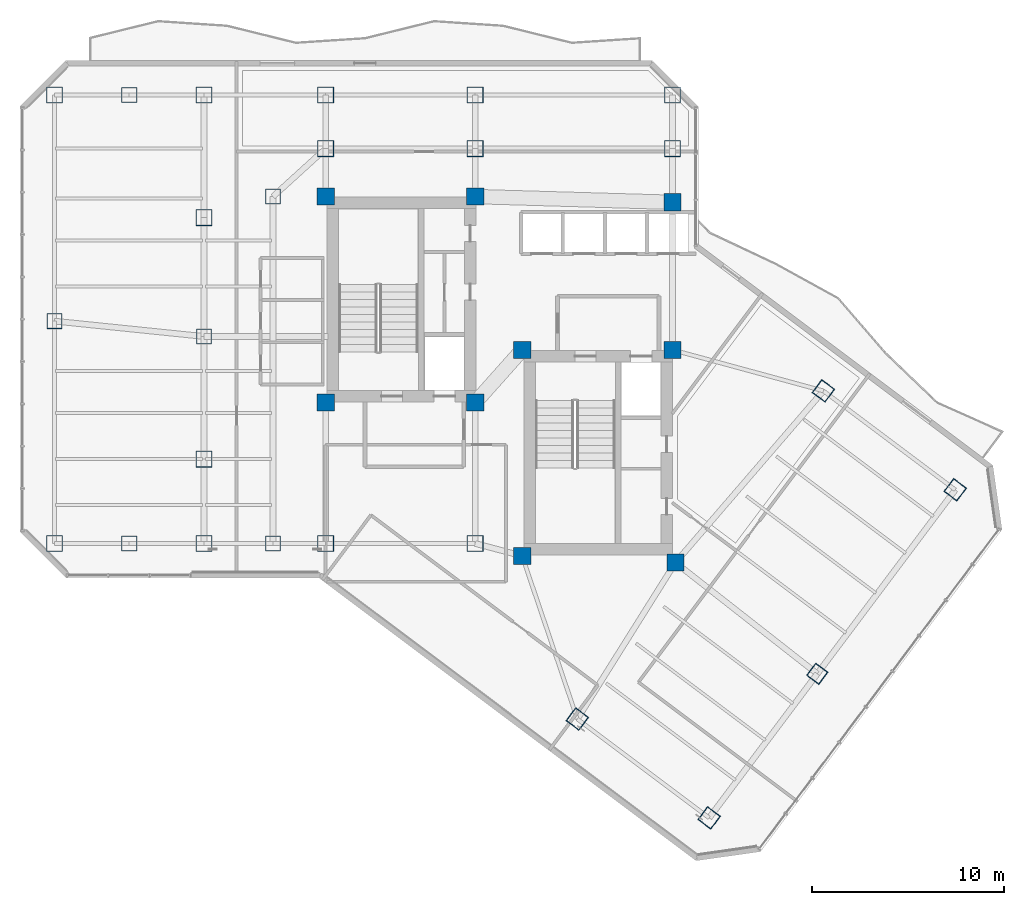
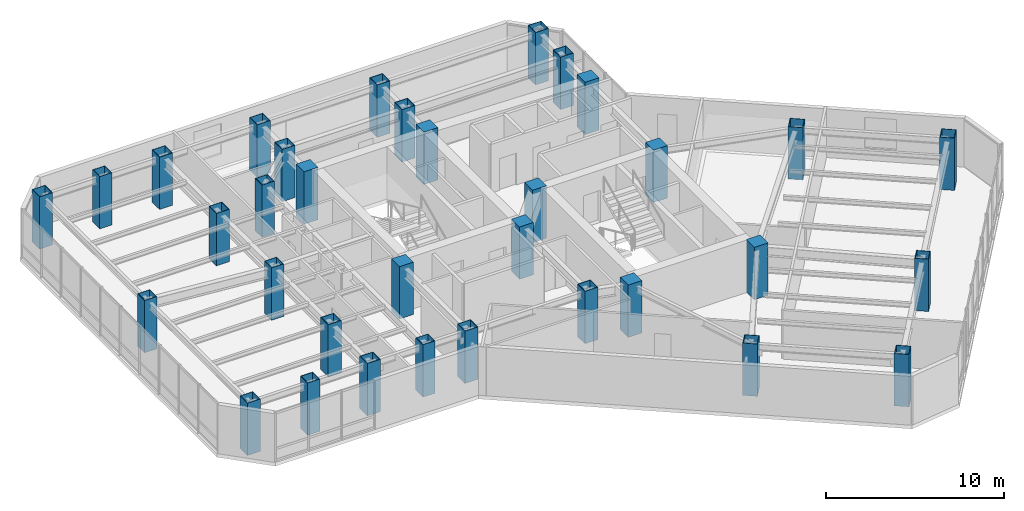
# One storey, part 1 of 26: 34 columns.
"""IFC4 building model written with IfcOpenShell, lengths in metres."""

import ifcopenshell
import ifcopenshell.guid

model = None  # the IFC model being written
_history = None  # IfcOwnerHistory: only IFC2X3 demands one
_inside = {}  # id of a spatial element -> (the spatial element, [elements in it])
_under = {}  # id of a project, library or spatial element -> (it, [spatial elements below it])
_declared = {}  # id of a project -> (the project, [libraries it declares])
_typed = {}  # id of a type object -> (the type object, [elements of that type])
_made_of = {}  # id of a material, layer set ... -> (it, [elements and type objects made of it])


def new_model(schema):
    """Start an empty IFC model of exactly this schema.

    Asked for "IFC4X3", IfcOpenShell would pick the latest addendum, in which some entities
    have other attributes; the version numbers below select the first issue.
    IFC2X3 requires an IfcOwnerHistory on every rooted entity: one is made here for all.
    """
    global model, _history
    if schema == "IFC4X3":
        model = ifcopenshell.file(schema_version=(4, 3, 0, 0))
    else:
        model = ifcopenshell.file(schema=schema)
    _inside.clear()
    _under.clear()
    _declared.clear()
    _typed.clear()
    _made_of.clear()
    _history = None
    if model.schema == "IFC2X3":
        org = make("IfcOrganization", Name="unknown")
        user = make(
            "IfcPersonAndOrganization",
            ThePerson=make("IfcPerson", FamilyName="unknown"),
            TheOrganization=org,
        )
        app = make(
            "IfcApplication",
            ApplicationDeveloper=org,
            Version="unknown",
            ApplicationFullName="unknown",
            ApplicationIdentifier="unknown",
        )
        _history = make(
            "IfcOwnerHistory",
            OwningUser=user,
            OwningApplication=app,
            ChangeAction="ADDED",
            CreationDate=0,
        )
    return model


def make(cls, **values):
    """One entity of the class cls with the attributes given. An attribute that is None is left unset."""
    return model.create_entity(
        cls, **{name: value for name, value in values.items() if value is not None}
    )


def rooted(cls, **values):
    """An entity with a GlobalId (a new one), such as an element, a storey or a relation."""
    return make(cls, GlobalId=ifcopenshell.guid.new(), OwnerHistory=_history, **values)


def si_unit(unit_type, name, prefix=None):
    """IfcSIUnit, for example si_unit("LENGTHUNIT", "METRE", prefix="MILLI")."""
    return make("IfcSIUnit", UnitType=unit_type, Prefix=prefix, Name=name)


def assignment(units):
    """IfcUnitAssignment: the units of a project."""
    return None if units is None else make("IfcUnitAssignment", Units=units)


def point(xyz):
    """IfcCartesianPoint."""
    return None if xyz is None else make("IfcCartesianPoint", Coordinates=xyz)


def direction(xyz):
    """IfcDirection."""
    return None if xyz is None else make("IfcDirection", DirectionRatios=xyz)


def frame(location, z_axis=None, x_axis=None):
    """IfcAxis2Placement3D, a coordinate frame: its origin and axes. An axis left out is left unset."""
    return make(
        "IfcAxis2Placement3D",
        Location=point(location),
        Axis=direction(z_axis),
        RefDirection=direction(x_axis),
    )


def frame_2d(location, x_axis=None):
    """IfcAxis2Placement2D, a coordinate frame in the plane: its origin and x axis."""
    return make(
        "IfcAxis2Placement2D", Location=point(location), RefDirection=direction(x_axis)
    )


def origin():
    """The frame at (0, 0, 0) with its axes left unset."""
    return frame((0.0, 0.0, 0.0))


def origin_2d():
    """The frame at (0, 0) in the plane with its x axis left unset."""
    return frame_2d((0.0, 0.0))


def place(relative_to, where):
    """IfcLocalPlacement: puts the frame where relative to a parent placement (None: the world)."""
    return make(
        "IfcLocalPlacement", PlacementRelTo=relative_to, RelativePlacement=where
    )


def context(
    kind, dimensions, precision=None, world=None, true_north=None, identifier=None
):
    """IfcGeometricRepresentationContext, for example the 3D "Model" context."""
    return make(
        "IfcGeometricRepresentationContext",
        ContextIdentifier=identifier,
        ContextType=kind,
        CoordinateSpaceDimension=dimensions,
        Precision=precision,
        WorldCoordinateSystem=world,
        TrueNorth=true_north,
    )


def subcontext(parent, identifier, kind, view, scale=None):
    """IfcGeometricRepresentationSubContext, for example "Body" below "Model"."""
    return make(
        "IfcGeometricRepresentationSubContext",
        ContextIdentifier=identifier,
        ContextType=kind,
        ParentContext=parent,
        TargetScale=scale,
        TargetView=view,
    )


def project(units=None, contexts=None):
    """IfcProject with its units and contexts."""
    return rooted(
        "IfcProject",
        Name="project",
        RepresentationContexts=contexts,
        UnitsInContext=assignment(units),
    )


def spatial(cls, under=None, at=None, **own):
    """A site, building, storey or space (cls), placed at a placement, below another one or the project."""
    s = rooted(cls, ObjectPlacement=at, **own)
    if under is not None:
        _under.setdefault(under.id(), (under, []))[1].append(s)
    return s


def profile(cls, at=None, kind="AREA", **sizes):
    """A parametric profile (cls). Its sizes go by their IFC names, for example OverallWidth=200.0."""
    return make(cls, ProfileType=kind, Position=at, **sizes)


def rectangle(**sizes):
    """IfcRectangleProfileDef."""
    return profile("IfcRectangleProfileDef", **sizes)


def hollow_rectangle(**sizes):
    """IfcRectangleHollowProfileDef."""
    return profile("IfcRectangleHollowProfileDef", **sizes)


def extrude(swept, where, along, depth):
    """IfcExtrudedAreaSolid: the profile swept, set in the frame where, extruded along a direction by depth."""
    return make(
        "IfcExtrudedAreaSolid",
        SweptArea=swept,
        Position=where,
        ExtrudedDirection=direction(along),
        Depth=depth,
    )


def shape(context_of_items, identifier, shape_type, items):
    """IfcShapeRepresentation: the items that make up one representation, for example the "Body"."""
    return make(
        "IfcShapeRepresentation",
        ContextOfItems=context_of_items,
        RepresentationIdentifier=identifier,
        RepresentationType=shape_type,
        Items=items,
    )


def material(Name=None, Category=None):
    """IfcMaterial."""
    return make("IfcMaterial", Name=Name, Category=Category)


def material_profile(
    of_material, cross_section, Name=None, Category=None, Priority=None
):
    """IfcMaterialProfile: a cross section and its material."""
    return make(
        "IfcMaterialProfile",
        Name=Name,
        Material=of_material,
        Profile=cross_section,
        Priority=Priority,
        Category=Category,
    )


def profile_set(profiles, Name=None, composite=None):
    """IfcMaterialProfileSet."""
    return make(
        "IfcMaterialProfileSet",
        Name=Name,
        MaterialProfiles=profiles,
        CompositeProfile=composite,
    )


def made_of(thing, what):
    """Note that an element or type object is made of a material, layer set ...; save() writes the relation."""
    if what is not None:
        _made_of.setdefault(what.id(), (what, []))[1].append(thing)
    return thing


def type_object(cls, material=None, **own):
    """A type object (cls), such as IfcWallType, which elements share."""
    return made_of(rooted(cls, **own), material)


def element(
    cls,
    number,
    at=None,
    inside=None,
    cuts=None,
    type_object=None,
    material=None,
    context=None,
    identifier="Body",
    shape_type=None,
    held_by="IfcProductDefinitionShape",
    body=None,
    shapes=None,
    **own,
):
    """One element of the class cls, such as IfcWall. Its Tag is "e" and its number.

    at: its placement. inside: the storey or other place that contains it. cuts: it is an
    opening in that element (IfcRelVoidsElement). A single representation is given by context,
    identifier, shape_type and body (its items); several are given by shapes. held_by: the class
    of the entity that holds the representations. save() writes the other relations.
    """
    e = rooted(cls, Tag="e%d" % number, ObjectPlacement=at, **own)
    if body is not None:
        shapes = [shape(context, identifier, shape_type, body)]
    if shapes is not None:
        e.Representation = make(held_by, Representations=shapes)
    if inside is not None:
        _inside.setdefault(inside.id(), (inside, []))[1].append(e)
    if cuts is not None:
        rooted(
            "IfcRelVoidsElement", RelatingBuildingElement=cuts, RelatedOpeningElement=e
        )
    if type_object is not None:
        _typed.setdefault(type_object.id(), (type_object, []))[1].append(e)
    return made_of(e, material)


def aggregate(whole, parts):
    """IfcRelAggregates: a whole, such as a stair, and the parts it consists of."""
    return rooted("IfcRelAggregates", RelatingObject=whole, RelatedObjects=parts)


def save(model, path):
    """Write the relations noted so far, then the file.

    IfcRelAggregates (storeys below a building ...), IfcRelContainedInSpatialStructure (elements
    in a storey), IfcRelDefinesByType, IfcRelAssociatesMaterial and IfcRelDeclares: one each for
    every whole, place, type object, material and project.
    """
    for whole, parts in _under.values():
        aggregate(whole, parts)
    for where, things in _inside.values():
        rooted(
            "IfcRelContainedInSpatialStructure",
            RelatedElements=things,
            RelatingStructure=where,
        )
    for kind, things in _typed.values():
        rooted("IfcRelDefinesByType", RelatedObjects=things, RelatingType=kind)
    for what, things in _made_of.values():
        rooted("IfcRelAssociatesMaterial", RelatedObjects=things, RelatingMaterial=what)
    for by, libraries in _declared.values():
        rooted("IfcRelDeclares", RelatingContext=by, RelatedDefinitions=libraries)
    model.write(path)


model = new_model("IFC4")

# Units and contexts
model_context = context("Model", 3, precision=1e-05, world=origin(), true_north=direction((0.0, 1.0)))
body_context = subcontext(model_context, "Body", "Model", "MODEL_VIEW")
ifc_project = project(units=[si_unit("LENGTHUNIT", "METRE"), si_unit("AREAUNIT", "SQUARE_METRE"), si_unit("VOLUMEUNIT", "CUBIC_METRE"), si_unit("PLANEANGLEUNIT", "RADIAN"), si_unit("MASSUNIT", "GRAM", prefix="KILO")], contexts=[model_context])

# Site, building, storey
site_placement = place(None, origin())
site = spatial("IfcSite", under=ifc_project, at=site_placement, CompositionType="ELEMENT")
building_placement = place(site_placement, origin())
building = spatial("IfcBuilding", under=site, at=building_placement, Name="Hatsunagi Terrace Concourse", CompositionType="ELEMENT")
storey_placement = place(building_placement, frame((0.0, 0.0, 152.85009765625)))
storey = spatial("IfcBuildingStorey", under=building, at=storey_placement, Name="L40", CompositionType="ELEMENT", Elevation=152.85009765625)

# Columns
ifc_material_1 = material(Name="Concrete Fc48", Category="concrete")
ifc_material_profile_1 = material_profile(ifc_material_1, rectangle(XDim=0.89990234375, YDim=0.89990234375, at=origin_2d()), Name="RC-900x900")
ifc_profile_set_1 = profile_set([ifc_material_profile_1], Name="Concrete Fc48")
column_type_1 = type_object("IfcColumnType", Name="CoreColumn_RC_900x900", PredefinedType="COLUMN", material=ifc_profile_set_1)
for number, where, z_axis, x_axis, name in (
    (1, (25.550048828125, 32.550048828125, 0.0), (0.0, 0.0, 1.0), (1.0, 0.0, 0.0), "Column C-02 L40-CASW"),
    (2, (33.35009765625, 32.550048828125, 0.0), (0.0, 0.0, 1.0), (1.0, 0.0, 0.0), "Column C-02 L40-CASE"),
    (3, (25.550048828125, 43.300048828125, 0.0), (0.0, 0.0, 1.0), (1.0, 0.0, 0.0), "Column C-02 L40-CANW"),
    (4, (33.35009765625, 43.300048828125, 0.0), (0.0, 0.0, 1.0), (1.0, 0.0, 0.0), "Column C-02 L40-CANE"),
    (5, (35.800048828125, 24.550048828125, 0.0), (0.0, 0.0, 1.0), (1.0, 0.0, 0.0), "Column C-02 L40-CBSW"),
    (6, (43.800048828125, 24.199951171875, 0.0), (0.0, 0.0, 1.0), (1.0, 0.0, 0.0), "Column C-02 L40-CBSE"),
    (7, (35.800048828125, 35.300048828125, 0.0), (0.0, 0.0, 1.0), (1.0, 0.0, 0.0), "Column C-02 L40-CBNW"),
    (8, (43.64990234375, 35.300048828125, 0.0), (0.0, 0.0, 1.0), (1.0, 0.0, 0.0), "Column C-02 L40-CBNE"),
    (9, (43.64990234375, 43.0, 0.0), (0.0, 0.0, 1.0), (1.0, 0.0, 0.0), "Column C-02 L40-K3"),
):
    element("IfcColumn", number, at=place(storey_placement, frame(where, z_axis=z_axis, x_axis=x_axis)), inside=storey, type_object=column_type_1, Name=name, PredefinedType="COLUMN", context=body_context, shape_type="SweptSolid", body=[
        extrude(rectangle(XDim=0.89990234375, YDim=0.89990234375, at=origin_2d()), origin(), (0.0, 0.0, 1.0), 3.599853515625),
    ])
ifc_material_2 = material(Name="Steel BCP325T", Category="steel")
ifc_material_profile_2 = material_profile(ifc_material_2, hollow_rectangle(XDim=0.800048828125, YDim=0.800048828125, WallThickness=0.031982421875, at=origin_2d()), Name="BCP-800x800x32")
ifc_profile_set_2 = profile_set([ifc_material_profile_2], Name="Steel BCP325T")
column_type_2 = type_object("IfcColumnType", Name="TowerBoxColumn_800x800x32", PredefinedType="COLUMN", material=ifc_profile_set_2)
for number, where, z_axis, x_axis, name in (
    (10, (22.800048828125, 25.199951171875, 0.0), (0.0, 0.0, 1.0), (1.0, 0.0, 0.0), "Column C-06 L40-CW1"),
    (11, (22.800048828125, 43.300048828125, 0.0), (0.0, 0.0, 1.0), (1.0, 0.0, 0.0), "Column C-06 L40-CW2"),
    (12, (11.39990234375, 36.800048828125, 0.0), (0.0, 0.0, 1.0), (1.0, 0.0, 0.0), "Column C-06 L40-WT1"),
    (13, (19.199951171875, 36.0, 0.0), (0.0, 0.0, 1.0), (1.0, 0.0, 0.0), "Column C-06 L40-WT2"),
    (14, (15.300048828125, 25.199951171875, 0.0), (0.0, 0.0, 1.0), (1.0, 0.0, 0.0), "Column C-06 L40-WT3"),
    (15, (15.300048828125, 48.60009765625, 0.0), (0.0, 0.0, 1.0), (1.0, 0.0, 0.0), "Column C-06 L40-WT4"),
    (16, (51.199951171875, 18.39990234375, 0.0), (0.0, 0.0, 1.0), (0.799999996291, -0.600000004945, 0.0), "Column C-06 L40-SEM2"),
):
    element("IfcColumn", number, at=place(storey_placement, frame(where, z_axis=z_axis, x_axis=x_axis)), inside=storey, type_object=column_type_2, Name=name, PredefinedType="COLUMN", context=body_context, shape_type="SweptSolid", body=[
        extrude(hollow_rectangle(XDim=0.800048828125, YDim=0.800048828125, WallThickness=0.031982421875, at=origin_2d()), origin(), (0.0, 0.0, 1.0), 3.599853515625),
    ])
ifc_material_3 = material(Name="Steel BCP325T", Category="steel")
ifc_material_profile_3 = material_profile(ifc_material_3, hollow_rectangle(XDim=0.85009765625, YDim=0.85009765625, WallThickness=0.031982421875, at=origin_2d()), Name="BCP-850x850x32")
ifc_profile_set_3 = profile_set([ifc_material_profile_3], Name="Steel BCP325T")
column_type_3 = type_object("IfcColumnType", Name="TowerBoxColumn_850x850x32", PredefinedType="COLUMN", material=ifc_profile_set_3)
for number, where, z_axis, x_axis, name in (
    (17, (25.550048828125, 25.199951171875, 0.0), (0.0, 0.0, 1.0), (1.0, 0.0, 0.0), "Column C-05 L40-K1"),
    (18, (33.35009765625, 25.199951171875, 0.0), (0.0, 0.0, 1.0), (1.0, 0.0, 0.0), "Column C-05 L40-K2"),
    (19, (25.550048828125, 45.800048828125, 0.0), (0.0, 0.0, 1.0), (1.0, 0.0, 0.0), "Column C-05 L40-CN1"),
    (20, (33.35009765625, 45.800048828125, 0.0), (0.0, 0.0, 1.0), (1.0, 0.0, 0.0), "Column C-05 L40-CN2"),
    (21, (43.64990234375, 45.800048828125, 0.0), (0.0, 0.0, 1.0), (1.0, 0.0, 0.0), "Column C-05 L40-CN3"),
    (22, (11.39990234375, 25.199951171875, 0.0), (0.0, 0.0, 1.0), (1.0, 0.0, 0.0), "Column C-05 L40-WS2"),
    (23, (11.39990234375, 48.60009765625, 0.0), (0.0, 0.0, 1.0), (1.0, 0.0, 0.0), "Column C-05 L40-WN2"),
    (24, (19.199951171875, 48.60009765625, 0.0), (0.0, 0.0, 1.0), (1.0, 0.0, 0.0), "Column C-05 L40-WN3"),
    (25, (25.550048828125, 48.60009765625, 0.0), (0.0, 0.0, 1.0), (1.0, 0.0, 0.0), "Column C-05 L40-WN4"),
    (26, (33.35009765625, 48.60009765625, 0.0), (0.0, 0.0, 1.0), (1.0, 0.0, 0.0), "Column C-05 L40-WN5"),
    (27, (43.64990234375, 48.60009765625, 0.0), (0.0, 0.0, 1.0), (1.0, 0.0, 0.0), "Column C-05 L40-WN6"),
    (28, (19.199951171875, 25.199951171875, 0.0), (0.0, 0.0, 1.0), (1.0, 0.0, 0.0), "Column C-05 L40-WS3"),
    (29, (19.199951171875, 29.60009765625, 0.0), (0.0, 0.0, 1.0), (1.0, 0.0, 0.0), "Column C-05 L40-WR1"),
    (30, (19.199951171875, 42.199951171875, 0.0), (0.0, 0.0, 1.0), (1.0, 0.0, 0.0), "Column C-05 L40-WR2"),
    (31, (38.679931640625, 16.0400390625, 0.0), (0.0, 0.0, 1.0), (0.799999996291, -0.600000004945, 0.0), "Column C-05 L40-SES1"),
    (32, (51.52001953125, 33.159912109375, 0.0), (0.0, 0.0, 1.0), (0.799999996291, -0.600000004945, 0.0), "Column C-05 L40-SEN1"),
    (33, (45.56005859375, 10.8798828125, 0.0), (0.0, 0.0, 1.0), (0.799999996291, -0.600000004945, 0.0), "Column C-05 L40-SES2"),
    (34, (58.39990234375, 28.0, 0.0), (0.0, 0.0, 1.0), (0.799999996291, -0.600000004945, 0.0), "Column C-05 L40-SEN2"),
):
    element("IfcColumn", number, at=place(storey_placement, frame(where, z_axis=z_axis, x_axis=x_axis)), inside=storey, type_object=column_type_3, Name=name, PredefinedType="COLUMN", context=body_context, shape_type="SweptSolid", body=[
        extrude(hollow_rectangle(XDim=0.85009765625, YDim=0.85009765625, WallThickness=0.031982421875, at=origin_2d()), origin(), (0.0, 0.0, 1.0), 3.599853515625),
    ])

save(model, "model.ifc")
